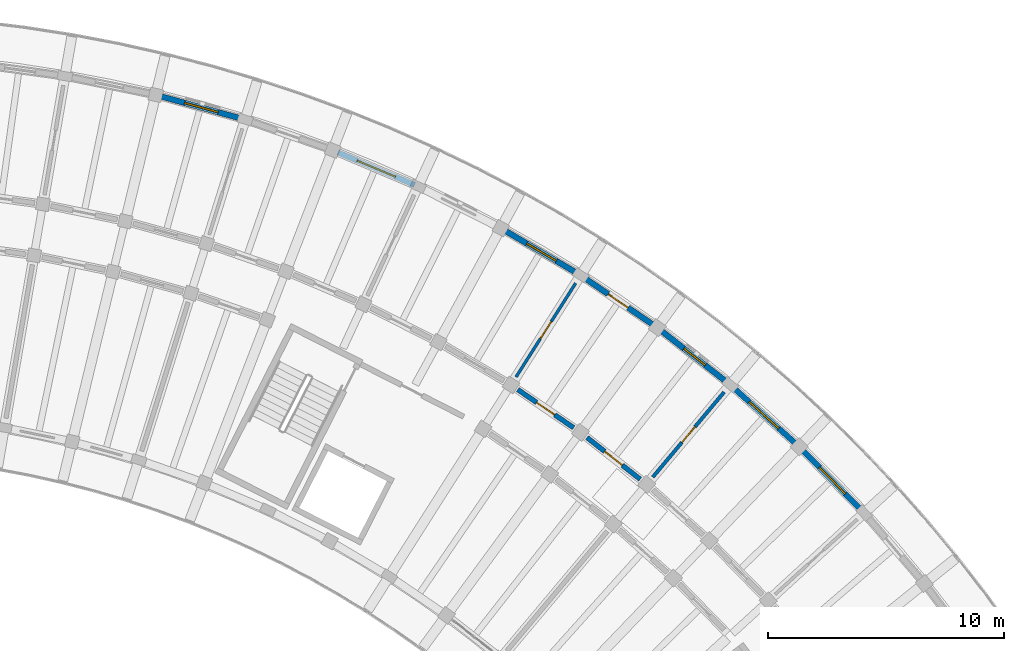
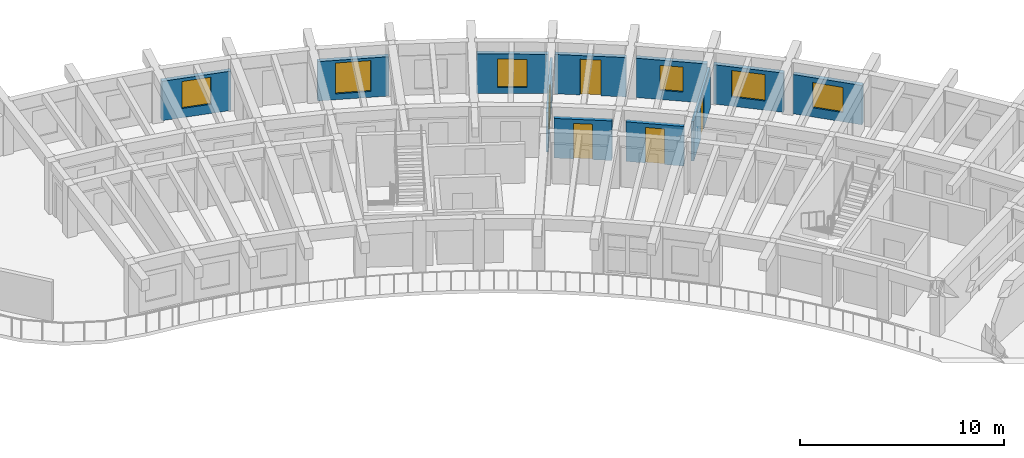
# One storey, part 46 of 69: 11 walls, 6 windows, 5 doors, 11 openings.
"""IFC4 building model written with IfcOpenShell, lengths in metres."""

from ifc_helpers import new_model, si_unit, direction, frame, frame_2d, origin, place, context, subcontext, project, spatial, rectangle, extrude, material, layer, layer_set, type_object, element, fill, save


model = new_model("IFC4")

# Units and contexts
model_context = context("Model", 3, precision=1e-05, world=origin(), true_north=direction((0.0, 1.0)))
body_context = subcontext(model_context, "Body", "Model", "MODEL_VIEW")
ifc_project = project(units=[si_unit("LENGTHUNIT", "METRE"), si_unit("AREAUNIT", "SQUARE_METRE"), si_unit("VOLUMEUNIT", "CUBIC_METRE"), si_unit("PLANEANGLEUNIT", "RADIAN"), si_unit("MASSUNIT", "GRAM", prefix="KILO")], contexts=[model_context])

# Site, building, storey
site_placement = place(None, origin())
site = spatial("IfcSite", under=ifc_project, at=site_placement, CompositionType="ELEMENT")
building_placement = place(site_placement, origin())
building = spatial("IfcBuilding", under=site, at=building_placement, Name="Tanwirah Colonnade Gardens", CompositionType="ELEMENT")
storey_placement = place(building_placement, frame((0.0, 0.0, 15.56005859375)))
storey = spatial("IfcBuildingStorey", under=building, at=storey_placement, Name="L04", CompositionType="ELEMENT", Elevation=15.56005859375)

# Wall, opening, window
ifc_material_1 = material(Name="Limestone architectural precast concrete C40/50", Category="masonry")
ifc_layer_1 = layer(ifc_material_1, 0.239990234375)
ifc_layer_set_1 = layer_set([ifc_layer_1], Name="Limestone architectural precast concrete C40/50")
wall_type_1 = type_object("IfcWallType", Name="EW-PC240", PredefinedType="SOLIDWALL", material=ifc_layer_set_1)
wall_1_placement = place(storey_placement, frame((164.83203125, 100.503173828125, 0.0), z_axis=(0.0, 0.0, 1.0), x_axis=(-0.698841852324, 0.715276216186, 0.0)))
wall_1 = element("IfcWall", 1, at=wall_1_placement, inside=storey, type_object=wall_type_1, Name="Block B L04 OUT Precast Facade Wall 7", PredefinedType="SOLIDWALL", context=body_context, shape_type="SweptSolid", body=[
    extrude(rectangle(XDim=3.520751953125, YDim=0.239990234375, at=frame_2d((1.76025390625, 0.0))), origin(), (0.0, 0.0, 1.0), 2.35498046875),
])
opening_1_placement = place(wall_1_placement, frame((0.98046875, 0.0, 0.550048828125)))
opening_1 = element("IfcOpeningElement", 2, at=opening_1_placement, cuts=wall_1, Name="Opening WIN-U11", PredefinedType="OPENING", context=body_context, shape_type="SweptSolid", body=[
    extrude(rectangle(XDim=1.56005859375, YDim=1.510009765625, at=frame_2d((0.780029296875, 0.7548828125))), frame((0.0, 0.1298828125, 0.0), z_axis=(0.0, -1.0, 0.0), x_axis=(1.0, 0.0, 0.0)), (0.0, 0.0, 1.0), 0.260009765625),
])
ifc_material_2 = material(Name="Thermally broken bronze aluminium and solar low-E double glazing", Category="aluminium")
window_type_1 = type_object("IfcWindowType", Name="WIN-U11", PartitioningType="DOUBLE_PANEL_VERTICAL", PredefinedType="WINDOW", material=ifc_material_2)
window_1_placement = place(opening_1_placement, origin())
window_1 = element("IfcWindow", 3, at=window_1_placement, inside=storey, type_object=window_type_1, Name="Facade window B-L04-OUT-07", OverallHeight=1.510009765625, OverallWidth=1.56005859375, PartitioningType="SINGLE_PANEL", PredefinedType="WINDOW", context=body_context, shape_type="SweptSolid", body=[
    extrude(rectangle(XDim=1.56005859375, YDim=1.510009765625, at=frame_2d((0.780029296875, 0.7548828125))), frame((0.0, 0.030029296875, 0.0), z_axis=(0.0, -1.0, 0.0), x_axis=(1.0, 0.0, 0.0)), (0.0, 0.0, 1.0), 0.06005859375),
])
fill(opening_1, window_1)

wall_2_placement = place(storey_placement, frame((162.01806640625, 103.3603515625, 0.0), z_axis=(0.0, 0.0, 1.0), x_axis=(-0.744413726571, 0.667718656092, 0.0)))
wall_2 = element("IfcWall", 4, at=wall_2_placement, inside=storey, type_object=wall_type_1, Name="Block B L04 OUT Precast Facade Wall 8", PredefinedType="SOLIDWALL", context=body_context, shape_type="SweptSolid", body=[
    extrude(rectangle(XDim=3.520751953125, YDim=0.239990234375, at=frame_2d((1.76025390625, 0.0))), origin(), (0.0, 0.0, 1.0), 2.35498046875),
])
opening_2_placement = place(wall_2_placement, frame((0.92041015625, 0.0, 0.550048828125)))
opening_2 = element("IfcOpeningElement", 5, at=opening_2_placement, cuts=wall_2, Name="Opening WIN-U14", PredefinedType="OPENING", context=body_context, shape_type="SweptSolid", body=[
    extrude(rectangle(XDim=1.679931640625, YDim=1.5849609375, at=frame_2d((0.83984375, 0.79248046875))), frame((0.0, 0.1298828125, 0.0), z_axis=(0.0, -1.0, 0.0), x_axis=(1.0, 0.0, 0.0)), (0.0, 0.0, 1.0), 0.260009765625),
])
window_type_2 = type_object("IfcWindowType", Name="WIN-U14", PartitioningType="DOUBLE_PANEL_VERTICAL", PredefinedType="WINDOW", material=ifc_material_2)
window_2_placement = place(opening_2_placement, origin())
window_2 = element("IfcWindow", 6, at=window_2_placement, inside=storey, type_object=window_type_2, Name="Facade window B-L04-OUT-08", OverallHeight=1.5849609375, OverallWidth=1.679931640625, PartitioningType="SINGLE_PANEL", PredefinedType="WINDOW", context=body_context, shape_type="SweptSolid", body=[
    extrude(rectangle(XDim=1.679931640625, YDim=1.5849609375, at=frame_2d((0.83984375, 0.79248046875))), frame((0.0, 0.030029296875, 0.0), z_axis=(0.0, -1.0, 0.0), x_axis=(1.0, 0.0, 0.0)), (0.0, 0.0, 1.0), 0.06005859375),
])
fill(opening_2, window_2)

wall_3_placement = place(storey_placement, frame((159.152099609375, 105.916748046875, 0.0), z_axis=(0.0, 0.0, 1.0), x_axis=(-0.786813798172, 0.617190446301, 0.0)))
wall_3 = element("IfcWall", 7, at=wall_3_placement, inside=storey, type_object=wall_type_1, Name="Block B L04 OUT Precast Facade Wall 9", PredefinedType="SOLIDWALL", context=body_context, shape_type="SweptSolid", body=[
    extrude(rectangle(XDim=3.5205078125, YDim=0.239990234375, at=frame_2d((1.76025390625, 0.0))), origin(), (0.0, 0.0, 1.0), 2.35498046875),
])
opening_3_placement = place(wall_3_placement, frame((1.185302734375, 0.0, 0.550048828125)))
opening_3 = element("IfcOpeningElement", 8, at=opening_3_placement, cuts=wall_3, Name="Opening WIN-T01", PredefinedType="OPENING", context=body_context, shape_type="SweptSolid", body=[
    extrude(rectangle(XDim=1.14990234375, YDim=1.5, at=frame_2d((0.574951171875, 0.75))), frame((0.0, 0.1298828125, 0.0), z_axis=(0.0, -1.0, 0.0), x_axis=(1.0, 0.0, 0.0)), (0.0, 0.0, 1.0), 0.260009765625),
])
window_type_3 = type_object("IfcWindowType", Name="WIN-T01", PartitioningType="SINGLE_PANEL", PredefinedType="WINDOW", material=ifc_material_2)
window_3_placement = place(opening_3_placement, origin())
window_3 = element("IfcWindow", 9, at=window_3_placement, inside=storey, type_object=window_type_3, Name="Facade window B-L04-OUT-09", OverallHeight=1.5, OverallWidth=1.14990234375, PartitioningType="SINGLE_PANEL", PredefinedType="WINDOW", context=body_context, shape_type="SweptSolid", body=[
    extrude(rectangle(XDim=1.14990234375, YDim=1.5, at=frame_2d((0.574951171875, 0.75))), frame((0.0, 0.030029296875, 0.0), z_axis=(0.0, -1.0, 0.0), x_axis=(1.0, 0.0, 0.0)), (0.0, 0.0, 1.0), 0.06005859375),
])
fill(opening_3, window_3)

# Wall, opening, door
wall_4_placement = place(storey_placement, frame((155.98681640625, 108.37890625, 0.0), z_axis=(0.0, 0.0, 1.0), x_axis=(-0.825745840472, 0.56404238045, 0.0)))
wall_4 = element("IfcWall", 10, at=wall_4_placement, inside=storey, type_object=wall_type_1, Name="Block B L04 OUT Precast Facade Wall 10", PredefinedType="SOLIDWALL", context=body_context, shape_type="SweptSolid", body=[
    extrude(rectangle(XDim=3.520751953125, YDim=0.239990234375, at=frame_2d((1.76025390625, 0.0))), origin(), (0.0, 0.0, 1.0), 2.35498046875),
])
opening_4_placement = place(wall_4_placement, frame((1.25048828125, 0.0, 0.0)))
opening_4 = element("IfcOpeningElement", 11, at=opening_4_placement, cuts=wall_4, Name="Opening L04-ED087", PredefinedType="OPENING", context=body_context, shape_type="SweptSolid", body=[
    extrude(rectangle(XDim=1.02001953125, YDim=2.139892578125, at=frame_2d((0.510009765625, 1.06982421875))), frame((0.0, 0.1298828125, 0.0), z_axis=(0.0, -1.0, 0.0), x_axis=(1.0, 0.0, 0.0)), (0.0, 0.0, 1.0), 0.260009765625),
])
ifc_material_3 = material(Name="Bronze aluminium glazed balcony door", Category="aluminium")
door_type_1 = type_object("IfcDoorType", Name="ED-BAL102", OperationType="NOTDEFINED", PredefinedType="DOOR", material=ifc_material_3)
door_1_placement = place(opening_4_placement, origin())
door_1 = element("IfcDoor", 12, at=door_1_placement, inside=storey, type_object=door_type_1, Name="Balcony glazed door L04-ED087", OperationType="SINGLE_SWING_LEFT", OverallHeight=2.139892578125, OverallWidth=1.02001953125, PredefinedType="DOOR", context=body_context, shape_type="SweptSolid", body=[
    extrude(rectangle(XDim=1.02001953125, YDim=2.139892578125, at=frame_2d((0.510009765625, 1.06982421875))), frame((0.0, 0.02490234375, 0.0), z_axis=(0.0, -1.0, 0.0), x_axis=(1.0, 0.0, 0.0)), (0.0, 0.0, 1.0), 0.050048828125),
])
fill(opening_4, door_1)

# Wall, opening, window
wall_5_placement = place(storey_placement, frame((152.8095703125, 110.536376953125, 0.0), z_axis=(0.0, 0.0, 1.0), x_axis=(-0.861136297738, 0.508374150324, 0.0)))
wall_5 = element("IfcWall", 13, at=wall_5_placement, inside=storey, type_object=wall_type_1, Name="Block B L04 OUT Precast Facade Wall 11", PredefinedType="SOLIDWALL", context=body_context, shape_type="SweptSolid", body=[
    extrude(rectangle(XDim=3.5205078125, YDim=0.239990234375, at=frame_2d((1.76025390625, 0.0))), origin(), (0.0, 0.0, 1.0), 2.35498046875),
])
opening_5_placement = place(wall_5_placement, frame((1.035400390625, 0.0, 0.35009765625)))
opening_5 = element("IfcOpeningElement", 14, at=opening_5_placement, cuts=wall_5, Name="Opening WIN-T07", PredefinedType="OPENING", context=body_context, shape_type="SweptSolid", body=[
    extrude(rectangle(XDim=1.449951171875, YDim=1.699951171875, at=frame_2d((0.72509765625, 0.85009765625))), frame((0.0, 0.1298828125, 0.0), z_axis=(0.0, -1.0, 0.0), x_axis=(1.0, 0.0, 0.0)), (0.0, 0.0, 1.0), 0.260009765625),
])
window_type_4 = type_object("IfcWindowType", Name="WIN-T07", PartitioningType="DOUBLE_PANEL_VERTICAL", PredefinedType="WINDOW", material=ifc_material_2)
window_4_placement = place(opening_5_placement, origin())
window_4 = element("IfcWindow", 15, at=window_4_placement, inside=storey, type_object=window_type_4, Name="Facade window B-L04-OUT-11", OverallHeight=1.699951171875, OverallWidth=1.449951171875, PartitioningType="SINGLE_PANEL", PredefinedType="WINDOW", context=body_context, shape_type="SweptSolid", body=[
    extrude(rectangle(XDim=1.449951171875, YDim=1.699951171875, at=frame_2d((0.72509765625, 0.85009765625))), frame((0.0, 0.030029296875, 0.0), z_axis=(0.0, -1.0, 0.0), x_axis=(1.0, 0.0, 0.0)), (0.0, 0.0, 1.0), 0.06005859375),
])
fill(opening_5, window_4)

wall_6_placement = place(storey_placement, frame((145.9150390625, 114.28173828125, 0.0), z_axis=(0.0, 0.0, 1.0), x_axis=(-0.920502438884, 0.390736816807, 0.0)))
wall_6 = element("IfcWall", 16, at=wall_6_placement, inside=storey, type_object=wall_type_1, Name="Block B L04 OUT Precast Facade Wall 13", PredefinedType="SOLIDWALL", context=body_context, shape_type="SweptSolid", body=[
    extrude(rectangle(XDim=3.520751953125, YDim=0.239990234375, at=frame_2d((1.76025390625, 0.0))), origin(), (0.0, 0.0, 1.0), 2.35498046875),
])
opening_6_placement = place(wall_6_placement, frame((0.88525390625, 0.0, 0.35009765625)))
opening_6 = element("IfcOpeningElement", 17, at=opening_6_placement, cuts=wall_6, Name="Opening WIN-T13", PredefinedType="OPENING", context=body_context, shape_type="SweptSolid", body=[
    extrude(rectangle(XDim=1.75, YDim=1.85009765625, at=frame_2d((0.875, 0.925048828125))), frame((0.0, 0.1298828125, 0.0), z_axis=(0.0, -1.0, 0.0), x_axis=(1.0, 0.0, 0.0)), (0.0, 0.0, 1.0), 0.260009765625),
])
window_type_5 = type_object("IfcWindowType", Name="WIN-T13", PartitioningType="TRIPLE_PANEL_VERTICAL", PredefinedType="WINDOW", material=ifc_material_2)
window_5_placement = place(opening_6_placement, origin())
window_5 = element("IfcWindow", 18, at=window_5_placement, inside=storey, type_object=window_type_5, Name="Facade window B-L04-OUT-13", OverallHeight=1.85009765625, OverallWidth=1.75, PartitioningType="SINGLE_PANEL", PredefinedType="WINDOW", context=body_context, shape_type="SweptSolid", body=[
    extrude(rectangle(XDim=1.75, YDim=1.85009765625, at=frame_2d((0.875, 0.925048828125))), frame((0.0, 0.030029296875, 0.0), z_axis=(0.0, -1.0, 0.0), x_axis=(1.0, 0.0, 0.0)), (0.0, 0.0, 1.0), 0.06005859375),
])
fill(opening_6, window_5)

wall_7_placement = place(storey_placement, frame((138.58740234375, 117.08837890625, 0.0), z_axis=(0.0, 0.0, 1.0), x_axis=(-0.963894473631, 0.266284516456, 0.0)))
wall_7 = element("IfcWall", 19, at=wall_7_placement, inside=storey, type_object=wall_type_1, Name="Block B L04 OUT Precast Facade Wall 15", PredefinedType="SOLIDWALL", context=body_context, shape_type="SweptSolid", body=[
    extrude(rectangle(XDim=3.520751953125, YDim=0.239990234375, at=frame_2d((1.76025390625, 0.0))), origin(), (0.0, 0.0, 1.0), 2.35498046875),
])
opening_7_placement = place(wall_7_placement, frame((1.020263671875, 0.0, 0.550048828125)))
opening_7 = element("IfcOpeningElement", 20, at=opening_7_placement, cuts=wall_7, Name="Opening WIN-T19", PredefinedType="OPENING", context=body_context, shape_type="SweptSolid", body=[
    extrude(rectangle(XDim=1.47998046875, YDim=1.6201171875, at=frame_2d((0.739990234375, 0.81005859375))), frame((0.0, 0.1298828125, 0.0), z_axis=(0.0, -1.0, 0.0), x_axis=(1.0, 0.0, 0.0)), (0.0, 0.0, 1.0), 0.260009765625),
])
window_type_6 = type_object("IfcWindowType", Name="WIN-T19", PartitioningType="DOUBLE_PANEL_VERTICAL", PredefinedType="WINDOW", material=ifc_material_2)
window_6_placement = place(opening_7_placement, origin())
window_6 = element("IfcWindow", 21, at=window_6_placement, inside=storey, type_object=window_type_6, Name="Facade window B-L04-OUT-15", OverallHeight=1.6201171875, OverallWidth=1.47998046875, PartitioningType="SINGLE_PANEL", PredefinedType="WINDOW", context=body_context, shape_type="SweptSolid", body=[
    extrude(rectangle(XDim=1.47998046875, YDim=1.6201171875, at=frame_2d((0.739990234375, 0.81005859375))), frame((0.0, 0.030029296875, 0.0), z_axis=(0.0, -1.0, 0.0), x_axis=(1.0, 0.0, 0.0)), (0.0, 0.0, 1.0), 0.06005859375),
])
fill(opening_7, window_6)

# Wall, opening, door
ifc_material_4 = material(Name="Precast concrete C40/50", Category="concrete")
ifc_layer_2 = layer(ifc_material_4, 0.205078125)
ifc_layer_set_2 = layer_set([ifc_layer_2], Name="Precast concrete C40/50")
wall_type_2 = type_object("IfcWallType", Name="IW-CORR205", PredefinedType="PARTITIONING", material=ifc_layer_set_2)
wall_8_placement = place(storey_placement, frame((155.46728515625, 101.82080078125, 0.0), z_axis=(0.0, 0.0, 1.0), x_axis=(-0.786806323554, 0.617199975061, 0.0)))
wall_8 = element("IfcWall", 22, at=wall_8_placement, inside=storey, type_object=wall_type_2, Name="Block B L04 OUT Corridor Wall 9", PredefinedType="PARTITIONING", context=body_context, shape_type="SweptSolid", body=[
    extrude(rectangle(XDim=2.863037109375, YDim=0.205078125, at=frame_2d((1.431640625, 0.0))), origin(), (0.0, 0.0, 1.0), 2.369873046875),
])
opening_8_placement = place(wall_8_placement, frame((0.95654296875, 0.0, 0.0)))
opening_8 = element("IfcOpeningElement", 23, at=opening_8_placement, cuts=wall_8, Name="Opening L04-AD981", PredefinedType="OPENING", context=body_context, shape_type="SweptSolid", body=[
    extrude(rectangle(XDim=0.949951171875, YDim=2.1298828125, at=frame_2d((0.47509765625, 1.06494140625))), frame((0.0, 0.112548828125, 0.0), z_axis=(0.0, -1.0, 0.0), x_axis=(1.0, 0.0, 0.0)), (0.0, 0.0, 1.0), 0.22509765625),
])
ifc_material_5 = material(Name="Solid oak fire-resisting apartment entrance door")
door_type_2 = type_object("IfcDoorType", Name="ID-FLT095", OperationType="NOTDEFINED", PredefinedType="DOOR", material=ifc_material_5)
door_2_placement = place(opening_8_placement, origin())
door_2 = element("IfcDoor", 24, at=door_2_placement, inside=storey, type_object=door_type_2, Name="Apartment corridor door L04-AD981", OperationType="SINGLE_SWING_RIGHT", OverallHeight=2.1298828125, OverallWidth=0.949951171875, PredefinedType="DOOR", context=body_context, shape_type="SweptSolid", body=[
    extrude(rectangle(XDim=0.949951171875, YDim=2.1298828125, at=frame_2d((0.47509765625, 1.06494140625))), frame((0.0, 0.02490234375, 0.0), z_axis=(0.0, -1.0, 0.0), x_axis=(1.0, 0.0, 0.0)), (0.0, 0.0, 1.0), 0.050048828125),
])
fill(opening_8, door_2)

wall_9_placement = place(storey_placement, frame((152.650146484375, 104.001220703125, 0.0), z_axis=(0.0, 0.0, 1.0), x_axis=(-0.825779671787, 0.563992848947, 0.0)))
wall_9 = element("IfcWall", 25, at=wall_9_placement, inside=storey, type_object=wall_type_2, Name="Block B L04 OUT Corridor Wall 10", PredefinedType="PARTITIONING", context=body_context, shape_type="SweptSolid", body=[
    extrude(rectangle(XDim=2.863037109375, YDim=0.205078125, at=frame_2d((1.431640625, 0.0))), origin(), (0.0, 0.0, 1.0), 2.369873046875),
])
opening_9_placement = place(wall_9_placement, frame((0.966552734375, 0.0, 0.0)))
opening_9 = element("IfcOpeningElement", 26, at=opening_9_placement, cuts=wall_9, Name="Opening L04-AD983", PredefinedType="OPENING", context=body_context, shape_type="SweptSolid", body=[
    extrude(rectangle(XDim=0.929931640625, YDim=2.1201171875, at=frame_2d((0.46484375, 1.06005859375))), frame((0.0, 0.112548828125, 0.0), z_axis=(0.0, -1.0, 0.0), x_axis=(1.0, 0.0, 0.0)), (0.0, 0.0, 1.0), 0.22509765625),
])
door_type_3 = type_object("IfcDoorType", Name="ID-FLT093", OperationType="NOTDEFINED", PredefinedType="DOOR", material=ifc_material_5)
door_3_placement = place(opening_9_placement, origin())
door_3 = element("IfcDoor", 27, at=door_3_placement, inside=storey, type_object=door_type_3, Name="Apartment corridor door L04-AD983", OperationType="SINGLE_SWING_LEFT", OverallHeight=2.1201171875, OverallWidth=0.929931640625, PredefinedType="DOOR", context=body_context, shape_type="SweptSolid", body=[
    extrude(rectangle(XDim=0.929931640625, YDim=2.1201171875, at=frame_2d((0.46484375, 1.06005859375))), frame((0.0, 0.02490234375, 0.0), z_axis=(0.0, -1.0, 0.0), x_axis=(1.0, 0.0, 0.0)), (0.0, 0.0, 1.0), 0.050048828125),
])
fill(opening_9, door_3)

ifc_material_6 = material(Name="Moisture-resistant gypsum stud partition")
ifc_layer_3 = layer(ifc_material_6, 0.125)
ifc_layer_set_3 = layer_set([ifc_layer_3], Name="Moisture-resistant gypsum stud partition")
wall_type_3 = type_object("IfcWallType", Name="IW-INT125", PredefinedType="PARTITIONING", material=ifc_layer_set_3)
wall_10_placement = place(storey_placement, frame((150.21142578125, 106.151123046875, 0.0), z_axis=(0.0, 0.0, 1.0), x_axis=(0.536492262982, 0.843905238614, 0.0)))
wall_10 = element("IfcWall", 28, at=wall_10_placement, inside=storey, type_object=wall_type_3, Name="Block B L04 Radial Partition 10", PredefinedType="PARTITIONING", context=body_context, shape_type="SweptSolid", body=[
    extrude(rectangle(XDim=4.699951171875, YDim=0.125, at=frame_2d((2.35009765625, 0.0))), origin(), (0.0, 0.0, 1.0), 2.369873046875),
])
opening_10_placement = place(wall_10_placement, frame((1.9150390625, 0.0, 0.0)))
opening_10 = element("IfcOpeningElement", 29, at=opening_10_placement, cuts=wall_10, Name="Opening L04-RD985", PredefinedType="OPENING", context=body_context, shape_type="SweptSolid", body=[
    extrude(rectangle(XDim=0.8701171875, YDim=2.080078125, at=frame_2d((0.43505859375, 1.0400390625))), frame((0.0, 0.072509765625, 0.0), z_axis=(0.0, -1.0, 0.0), x_axis=(1.0, 0.0, 0.0)), (0.0, 0.0, 1.0), 0.14501953125),
])
ifc_material_7 = material(Name="Painted hardwood study door", Category="wood")
door_type_4 = type_object("IfcDoorType", Name="ID-RM087", OperationType="NOTDEFINED", PredefinedType="DOOR", material=ifc_material_7)
door_4_placement = place(opening_10_placement, origin())
door_4 = element("IfcDoor", 30, at=door_4_placement, inside=storey, type_object=door_type_4, Name="Internal apartment door L04-RD985", OperationType="SINGLE_SWING_LEFT", OverallHeight=2.080078125, OverallWidth=0.8701171875, PredefinedType="DOOR", context=body_context, shape_type="SweptSolid", body=[
    extrude(rectangle(XDim=0.8701171875, YDim=2.080078125, at=frame_2d((0.43505859375, 1.0400390625))), frame((0.0, 0.02490234375, 0.0), z_axis=(0.0, -1.0, 0.0), x_axis=(1.0, 0.0, 0.0)), (0.0, 0.0, 1.0), 0.050048828125),
])
fill(opening_10, door_4)

ifc_material_8 = material(Name="Water-resistant acoustic plumbing partition")
ifc_layer_4 = layer(ifc_material_8, 0.14990234375)
ifc_layer_set_4 = layer_set([ifc_layer_4], Name="Water-resistant acoustic plumbing partition")
wall_type_4 = type_object("IfcWallType", Name="IW-WET150", PredefinedType="PLUMBINGWALL", material=ifc_layer_set_4)
wall_11_placement = place(storey_placement, frame((155.999755859375, 101.9111328125, 0.0), z_axis=(0.0, 0.0, 1.0), x_axis=(0.642811926223, 0.766024038465, 0.0)))
wall_11 = element("IfcWall", 31, at=wall_11_placement, inside=storey, type_object=wall_type_4, Name="Block B L04 Radial Partition 8", PredefinedType="PLUMBINGWALL", context=body_context, shape_type="SweptSolid", body=[
    extrude(rectangle(XDim=4.699951171875, YDim=0.14990234375, at=frame_2d((2.35009765625, 0.0))), origin(), (0.0, 0.0, 1.0), 2.369873046875),
])
opening_11_placement = place(wall_11_placement, frame((1.919921875, 0.0, 0.0)))
opening_11 = element("IfcOpeningElement", 32, at=opening_11_placement, cuts=wall_11, Name="Opening L04-RD980", PredefinedType="OPENING", context=body_context, shape_type="SweptSolid", body=[
    extrude(rectangle(XDim=0.860107421875, YDim=2.06005859375, at=frame_2d((0.43017578125, 1.030029296875))), frame((0.0, 0.0849609375, 0.0), z_axis=(0.0, -1.0, 0.0), x_axis=(1.0, 0.0, 0.0)), (0.0, 0.0, 1.0), 0.169921875),
])
ifc_material_9 = material(Name="Moisture-resistant bathroom door")
door_type_5 = type_object("IfcDoorType", Name="ID-WET086", OperationType="NOTDEFINED", PredefinedType="DOOR", material=ifc_material_9)
door_5_placement = place(opening_11_placement, origin())
door_5 = element("IfcDoor", 33, at=door_5_placement, inside=storey, type_object=door_type_5, Name="Internal apartment door L04-RD980", OperationType="SINGLE_SWING_LEFT", OverallHeight=2.06005859375, OverallWidth=0.860107421875, PredefinedType="DOOR", context=body_context, shape_type="SweptSolid", body=[
    extrude(rectangle(XDim=0.860107421875, YDim=2.06005859375, at=frame_2d((0.43017578125, 1.030029296875))), frame((0.0, 0.02490234375, 0.0), z_axis=(0.0, -1.0, 0.0), x_axis=(1.0, 0.0, 0.0)), (0.0, 0.0, 1.0), 0.050048828125),
])
fill(opening_11, door_5)

save(model, "model.ifc")
